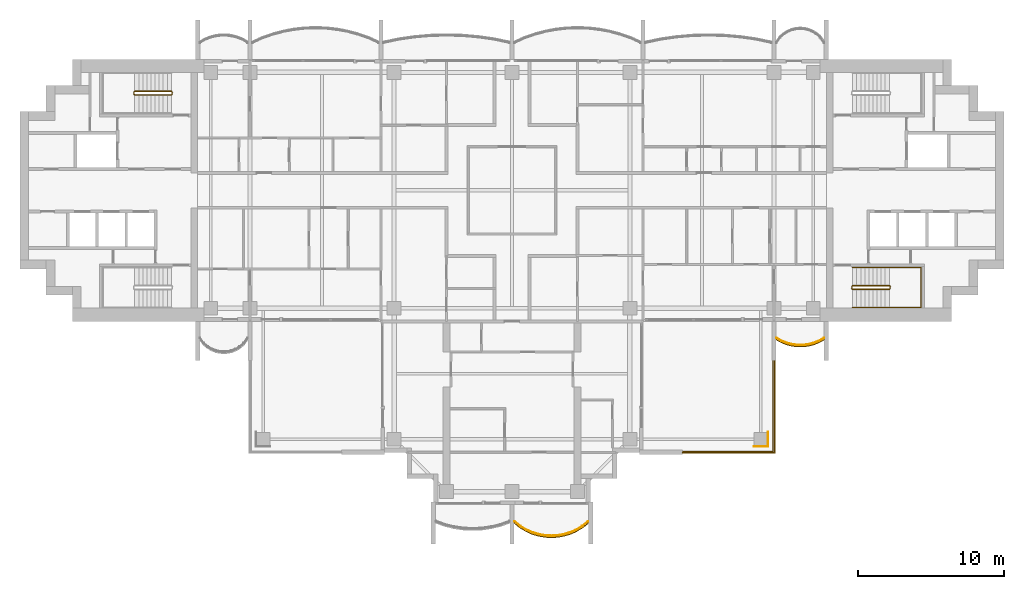
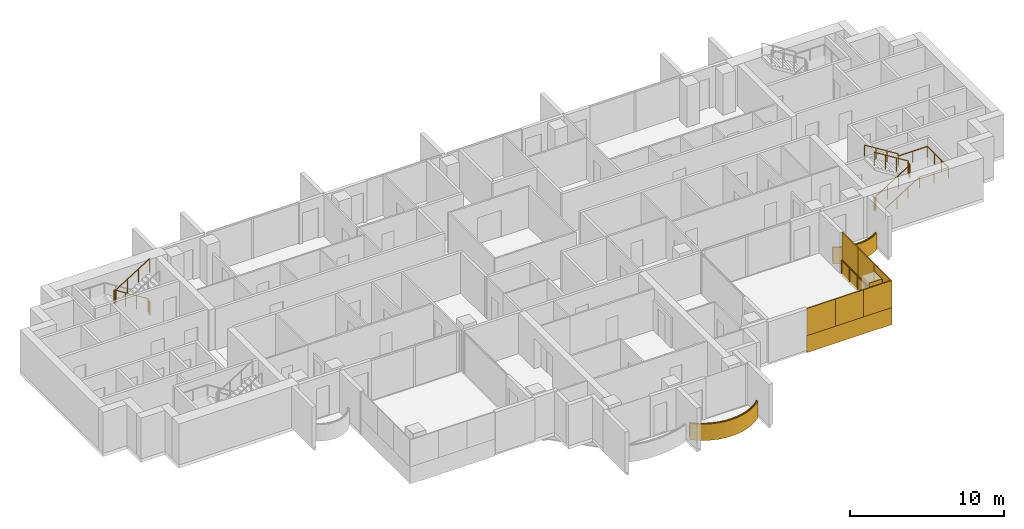
# One storey, part 15 of 17: 11 coverings, 6 railings.
"""IFC4 building model written with IfcOpenShell, lengths in metres."""

import ifcopenshell
import ifcopenshell.guid

model = None  # the IFC model being written
_history = None  # IfcOwnerHistory: only IFC2X3 demands one
_inside = {}  # id of a spatial element -> (the spatial element, [elements in it])
_under = {}  # id of a project, library or spatial element -> (it, [spatial elements below it])
_declared = {}  # id of a project -> (the project, [libraries it declares])
_typed = {}  # id of a type object -> (the type object, [elements of that type])
_made_of = {}  # id of a material, layer set ... -> (it, [elements and type objects made of it])


def new_model(schema):
    """Start an empty IFC model of exactly this schema.

    Asked for "IFC4X3", IfcOpenShell would pick the latest addendum, in which some entities
    have other attributes; the version numbers below select the first issue.
    IFC2X3 requires an IfcOwnerHistory on every rooted entity: one is made here for all.
    """
    global model, _history
    if schema == "IFC4X3":
        model = ifcopenshell.file(schema_version=(4, 3, 0, 0))
    else:
        model = ifcopenshell.file(schema=schema)
    _inside.clear()
    _under.clear()
    _declared.clear()
    _typed.clear()
    _made_of.clear()
    _history = None
    if model.schema == "IFC2X3":
        org = make("IfcOrganization", Name="unknown")
        user = make(
            "IfcPersonAndOrganization",
            ThePerson=make("IfcPerson", FamilyName="unknown"),
            TheOrganization=org,
        )
        app = make(
            "IfcApplication",
            ApplicationDeveloper=org,
            Version="unknown",
            ApplicationFullName="unknown",
            ApplicationIdentifier="unknown",
        )
        _history = make(
            "IfcOwnerHistory",
            OwningUser=user,
            OwningApplication=app,
            ChangeAction="ADDED",
            CreationDate=0,
        )
    return model


def make(cls, **values):
    """One entity of the class cls with the attributes given. An attribute that is None is left unset."""
    return model.create_entity(
        cls, **{name: value for name, value in values.items() if value is not None}
    )


def rooted(cls, **values):
    """An entity with a GlobalId (a new one), such as an element, a storey or a relation."""
    return make(cls, GlobalId=ifcopenshell.guid.new(), OwnerHistory=_history, **values)


def si_unit(unit_type, name, prefix=None):
    """IfcSIUnit, for example si_unit("LENGTHUNIT", "METRE", prefix="MILLI")."""
    return make("IfcSIUnit", UnitType=unit_type, Prefix=prefix, Name=name)


def assignment(units):
    """IfcUnitAssignment: the units of a project."""
    return None if units is None else make("IfcUnitAssignment", Units=units)


def point(xyz):
    """IfcCartesianPoint."""
    return None if xyz is None else make("IfcCartesianPoint", Coordinates=xyz)


def direction(xyz):
    """IfcDirection."""
    return None if xyz is None else make("IfcDirection", DirectionRatios=xyz)


def frame(location, z_axis=None, x_axis=None):
    """IfcAxis2Placement3D, a coordinate frame: its origin and axes. An axis left out is left unset."""
    return make(
        "IfcAxis2Placement3D",
        Location=point(location),
        Axis=direction(z_axis),
        RefDirection=direction(x_axis),
    )


def frame_2d(location, x_axis=None):
    """IfcAxis2Placement2D, a coordinate frame in the plane: its origin and x axis."""
    return make(
        "IfcAxis2Placement2D", Location=point(location), RefDirection=direction(x_axis)
    )


def origin():
    """The frame at (0, 0, 0) with its axes left unset."""
    return frame((0.0, 0.0, 0.0))


def origin_2d():
    """The frame at (0, 0) in the plane with its x axis left unset."""
    return frame_2d((0.0, 0.0))


def place(relative_to, where):
    """IfcLocalPlacement: puts the frame where relative to a parent placement (None: the world)."""
    return make(
        "IfcLocalPlacement", PlacementRelTo=relative_to, RelativePlacement=where
    )


def context(
    kind, dimensions, precision=None, world=None, true_north=None, identifier=None
):
    """IfcGeometricRepresentationContext, for example the 3D "Model" context."""
    return make(
        "IfcGeometricRepresentationContext",
        ContextIdentifier=identifier,
        ContextType=kind,
        CoordinateSpaceDimension=dimensions,
        Precision=precision,
        WorldCoordinateSystem=world,
        TrueNorth=true_north,
    )


def subcontext(parent, identifier, kind, view, scale=None):
    """IfcGeometricRepresentationSubContext, for example "Body" below "Model"."""
    return make(
        "IfcGeometricRepresentationSubContext",
        ContextIdentifier=identifier,
        ContextType=kind,
        ParentContext=parent,
        TargetScale=scale,
        TargetView=view,
    )


def project(units=None, contexts=None):
    """IfcProject with its units and contexts."""
    return rooted(
        "IfcProject",
        Name="project",
        RepresentationContexts=contexts,
        UnitsInContext=assignment(units),
    )


def spatial(cls, under=None, at=None, **own):
    """A site, building, storey or space (cls), placed at a placement, below another one or the project."""
    s = rooted(cls, ObjectPlacement=at, **own)
    if under is not None:
        _under.setdefault(under.id(), (under, []))[1].append(s)
    return s


def polyline(points):
    """IfcPolyline through the points."""
    return make("IfcPolyline", Points=[point(p) for p in points])


def profile(cls, at=None, kind="AREA", **sizes):
    """A parametric profile (cls). Its sizes go by their IFC names, for example OverallWidth=200.0."""
    return make(cls, ProfileType=kind, Position=at, **sizes)


def rectangle(**sizes):
    """IfcRectangleProfileDef."""
    return profile("IfcRectangleProfileDef", **sizes)


def outline(outer, holes=None, kind="AREA"):
    """IfcArbitraryClosedProfileDef: a profile drawn as a closed curve; with holes, ...WithVoids."""
    if holes is None:
        return make("IfcArbitraryClosedProfileDef", ProfileType=kind, OuterCurve=outer)
    return make(
        "IfcArbitraryProfileDefWithVoids",
        ProfileType=kind,
        OuterCurve=outer,
        InnerCurves=holes,
    )


def extrude(swept, where, along, depth):
    """IfcExtrudedAreaSolid: the profile swept, set in the frame where, extruded along a direction by depth."""
    return make(
        "IfcExtrudedAreaSolid",
        SweptArea=swept,
        Position=where,
        ExtrudedDirection=direction(along),
        Depth=depth,
    )


def shape(context_of_items, identifier, shape_type, items):
    """IfcShapeRepresentation: the items that make up one representation, for example the "Body"."""
    return make(
        "IfcShapeRepresentation",
        ContextOfItems=context_of_items,
        RepresentationIdentifier=identifier,
        RepresentationType=shape_type,
        Items=items,
    )


def material(Name=None, Category=None):
    """IfcMaterial."""
    return make("IfcMaterial", Name=Name, Category=Category)


def layer(
    of_material, thickness, ventilated=None, Name=None, Category=None, Priority=None
):
    """IfcMaterialLayer: one layer of a wall or slab, of a material (None: an air gap)."""
    return make(
        "IfcMaterialLayer",
        Material=of_material,
        LayerThickness=thickness,
        IsVentilated=ventilated,
        Name=Name,
        Category=Category,
        Priority=Priority,
    )


def layer_set(layers, Name=None):
    """IfcMaterialLayerSet."""
    return make("IfcMaterialLayerSet", MaterialLayers=layers, LayerSetName=Name)


def made_of(thing, what):
    """Note that an element or type object is made of a material, layer set ...; save() writes the relation."""
    if what is not None:
        _made_of.setdefault(what.id(), (what, []))[1].append(thing)
    return thing


def type_object(cls, material=None, **own):
    """A type object (cls), such as IfcWallType, which elements share."""
    return made_of(rooted(cls, **own), material)


def element(
    cls,
    number,
    at=None,
    inside=None,
    cuts=None,
    type_object=None,
    material=None,
    context=None,
    identifier="Body",
    shape_type=None,
    held_by="IfcProductDefinitionShape",
    body=None,
    shapes=None,
    **own,
):
    """One element of the class cls, such as IfcWall. Its Tag is "e" and its number.

    at: its placement. inside: the storey or other place that contains it. cuts: it is an
    opening in that element (IfcRelVoidsElement). A single representation is given by context,
    identifier, shape_type and body (its items); several are given by shapes. held_by: the class
    of the entity that holds the representations. save() writes the other relations.
    """
    e = rooted(cls, Tag="e%d" % number, ObjectPlacement=at, **own)
    if body is not None:
        shapes = [shape(context, identifier, shape_type, body)]
    if shapes is not None:
        e.Representation = make(held_by, Representations=shapes)
    if inside is not None:
        _inside.setdefault(inside.id(), (inside, []))[1].append(e)
    if cuts is not None:
        rooted(
            "IfcRelVoidsElement", RelatingBuildingElement=cuts, RelatedOpeningElement=e
        )
    if type_object is not None:
        _typed.setdefault(type_object.id(), (type_object, []))[1].append(e)
    return made_of(e, material)


def aggregate(whole, parts):
    """IfcRelAggregates: a whole, such as a stair, and the parts it consists of."""
    return rooted("IfcRelAggregates", RelatingObject=whole, RelatedObjects=parts)


def save(model, path):
    """Write the relations noted so far, then the file.

    IfcRelAggregates (storeys below a building ...), IfcRelContainedInSpatialStructure (elements
    in a storey), IfcRelDefinesByType, IfcRelAssociatesMaterial and IfcRelDeclares: one each for
    every whole, place, type object, material and project.
    """
    for whole, parts in _under.values():
        aggregate(whole, parts)
    for where, things in _inside.values():
        rooted(
            "IfcRelContainedInSpatialStructure",
            RelatedElements=things,
            RelatingStructure=where,
        )
    for kind, things in _typed.values():
        rooted("IfcRelDefinesByType", RelatedObjects=things, RelatingType=kind)
    for what, things in _made_of.values():
        rooted("IfcRelAssociatesMaterial", RelatedObjects=things, RelatingMaterial=what)
    for by, libraries in _declared.values():
        rooted("IfcRelDeclares", RelatingContext=by, RelatedDefinitions=libraries)
    model.write(path)


model = new_model("IFC4")

# Units and contexts
model_context = context("Model", 3, precision=1e-05, world=origin(), true_north=direction((0.0, 1.0)))
body_context = subcontext(model_context, "Body", "Model", "MODEL_VIEW")
ifc_project = project(units=[si_unit("LENGTHUNIT", "METRE"), si_unit("AREAUNIT", "SQUARE_METRE"), si_unit("VOLUMEUNIT", "CUBIC_METRE"), si_unit("PLANEANGLEUNIT", "RADIAN"), si_unit("MASSUNIT", "GRAM", prefix="KILO")], contexts=[model_context])

# Site, building, storey
site_placement = place(None, origin())
site = spatial("IfcSite", under=ifc_project, at=site_placement, CompositionType="ELEMENT")
building_placement = place(site_placement, origin())
building = spatial("IfcBuilding", under=site, at=building_placement, Name="Perihelion Cross Residences", CompositionType="ELEMENT")
storey_placement = place(building_placement, frame((0.0, 0.0, 212.10009765625)))
storey = spatial("IfcBuildingStorey", under=building, at=storey_placement, Name="L53", CompositionType="ELEMENT", Elevation=212.10009765625)

# Coverings
ifc_material_1 = material(Name="Bronze anodised aluminium", Category="aluminium")
ifc_layer_1 = layer(ifc_material_1, 0.070068359375)
ifc_layer_set_1 = layer_set([ifc_layer_1], Name="Balcony fascia 1300")
covering_type_1 = type_object("IfcCoveringType", Name="Balcony fascia 1300", PredefinedType="CLADDING", material=ifc_layer_set_1)
covering_1_placement = place(storey_placement, frame((0.0, 0.0, -0.2001953125)))
element("IfcCovering", 1, at=covering_1_placement, inside=storey, type_object=covering_type_1, Name="Fascia BF1 L53 south tip south bay 2", PredefinedType="CLADDING", context=body_context, shape_type="SweptSolid", body=[
    extrude(outline(polyline([(0.53515625, -23.197509765625), (0.96826171875, -23.455078125), (1.401123046875, -23.642578125), (1.833984375, -23.7705078125), (2.26708984375, -23.845458984375), (2.699951171875, -23.8701171875), (3.133056640625, -23.845458984375), (3.56591796875, -23.7705078125), (3.998779296875, -23.642578125), (4.431884765625, -23.455078125), (4.86474609375, -23.197509765625), (5.25, -22.8896484375), (5.25, -22.800048828125), (4.824951171875, -23.14013671875), (4.39990234375, -23.392578125), (3.97509765625, -23.57666015625), (3.550048828125, -23.702392578125), (3.125, -23.77587890625), (2.699951171875, -23.800048828125), (2.27490234375, -23.77587890625), (1.85009765625, -23.702392578125), (1.425048828125, -23.57666015625), (1.0, -23.392578125), (0.574951171875, -23.14013671875), (0.14990234375, -22.800048828125), (0.14990234375, -22.8896484375), (0.53515625, -23.197509765625)])), origin(), (0.0, 0.0, 1.0), 1.300048828125),
])
covering_2_placement = place(storey_placement, frame((0.0, 0.0, -0.2001953125)))
element("IfcCovering", 2, at=covering_2_placement, inside=storey, type_object=covering_type_1, Name="Fascia BF1 L53 east side south bay 2", PredefinedType="CLADDING", context=body_context, shape_type="SweptSolid", body=[
    extrude(outline(polyline([(18.486328125, -10.4716796875), (18.861572265625, -10.62158203125), (19.237060546875, -10.717529296875), (19.6123046875, -10.76416015625), (19.987548828125, -10.76416015625), (20.363037109375, -10.717529296875), (20.73828125, -10.62158203125), (21.11376953125, -10.4716796875), (21.449951171875, -10.280517578125), (21.449951171875, -10.199951171875), (21.083251953125, -10.40869140625), (20.716552734375, -10.55517578125), (20.35009765625, -10.648681640625), (19.9833984375, -10.6943359375), (19.61669921875, -10.6943359375), (19.25, -10.648681640625), (18.88330078125, -10.55517578125), (18.5166015625, -10.40869140625), (18.14990234375, -10.199951171875), (18.14990234375, -10.280517578125), (18.486328125, -10.4716796875)])), origin(), (0.0, 0.0, 1.0), 1.300048828125),
])

# Railings
ifc_material_2 = material(Name="Bronze anodised aluminium", Category="aluminium")
railing_type_1 = type_object("IfcRailingType", Name="Balcony guard 1100", PredefinedType="GUARDRAIL", material=ifc_material_2)
railing_1_placement = place(storey_placement, frame((0.175048828125, -22.739990234375, 0.0)))
element("IfcRailing", 3, at=railing_1_placement, inside=storey, type_object=railing_type_1, Name="Guard GU1 L53 south tip south bay 2 balcony", PredefinedType="GUARDRAIL", context=body_context, shape_type="SweptSolid", body=[
    extrude(rectangle(XDim=0.048095703125, YDim=0.048095703125, at=origin_2d()), frame((0.0, 0.0, 1.076171875), z_axis=(0.761778647315, -0.647837396648, 0.0), x_axis=(0.647837396648, 0.761778647315, 0.0)), (0.0, 0.0, 1.0), 0.52490234375),
    extrude(rectangle(XDim=0.048095703125, YDim=0.048095703125, at=origin_2d()), frame((0.39990234375, -0.340087890625, 1.076171875), z_axis=(0.859576918062, -0.511006381501, 0.0), x_axis=(0.511006381501, 0.859576918062, 0.0)), (0.0, 0.0, 1.0), 0.494384765625),
    extrude(rectangle(XDim=0.048095703125, YDim=0.048095703125, at=origin_2d()), frame((0.824951171875, -0.5927734375, 1.076171875), z_axis=(0.917831080218, -0.396971167952, 0.0), x_axis=(0.396971167952, 0.917831080218, 0.0)), (0.0, 0.0, 1.0), 0.463134765625),
    extrude(rectangle(XDim=0.048095703125, YDim=0.048095703125, at=origin_2d()), frame((1.25, -0.776611328125, 1.076171875), z_axis=(0.958925815697, -0.283656975924, 0.0), x_axis=(0.283656975924, 0.958925815697, 0.0)), (0.0, 0.0, 1.0), 0.443359375),
    extrude(rectangle(XDim=0.048095703125, YDim=0.048095703125, at=origin_2d()), frame((1.675048828125, -0.90234375, 1.076171875), z_axis=(0.985365142702, -0.170456843651, 0.0), x_axis=(0.170456843651, 0.985365142702, 0.0)), (0.0, 0.0, 1.0), 0.43115234375),
    extrude(rectangle(XDim=0.048095703125, YDim=0.048095703125, at=origin_2d()), frame((2.099853515625, -0.975830078125, 1.076171875), z_axis=(0.998387160354, -0.056772159032, 0.0), x_axis=(0.056772159032, 0.998387160354, 0.0)), (0.0, 0.0, 1.0), 0.42578125),
    extrude(rectangle(XDim=0.048095703125, YDim=0.048095703125, at=origin_2d()), frame((2.52490234375, -1.0, 1.076171875), z_axis=(0.998387160354, 0.056772159032, 0.0), x_axis=(-0.056772159032, 0.998387160354, 0.0)), (0.0, 0.0, 1.0), 0.42578125),
    extrude(rectangle(XDim=0.048095703125, YDim=0.048095703125, at=origin_2d()), frame((2.949951171875, -0.975830078125, 1.076171875), z_axis=(0.985381583142, 0.17036177859, 0.0), x_axis=(-0.17036177859, 0.985381583142, 0.0)), (0.0, 0.0, 1.0), 0.431396484375),
    extrude(rectangle(XDim=0.048095703125, YDim=0.048095703125, at=origin_2d()), frame((3.375, -0.90234375, 1.076171875), z_axis=(0.958925815697, 0.283656975924, 0.0), x_axis=(-0.283656975924, 0.958925815697, 0.0)), (0.0, 0.0, 1.0), 0.443359375),
    extrude(rectangle(XDim=0.048095703125, YDim=0.048095703125, at=origin_2d()), frame((3.800048828125, -0.776611328125, 1.076171875), z_axis=(0.917747942671, 0.397163333811, 0.0), x_axis=(-0.397163333811, 0.917747942671, 0.0)), (0.0, 0.0, 1.0), 0.462890625),
    extrude(rectangle(XDim=0.048095703125, YDim=0.048095703125, at=origin_2d()), frame((4.224853515625, -0.5927734375, 1.076171875), z_axis=(0.859576918062, 0.511006381501, 0.0), x_axis=(-0.511006381501, 0.859576918062, 0.0)), (0.0, 0.0, 1.0), 0.494384765625),
    extrude(rectangle(XDim=0.048095703125, YDim=0.048095703125, at=origin_2d()), frame((4.64990234375, -0.340087890625, 1.076171875), z_axis=(0.761973728849, 0.647607934281, 0.0), x_axis=(-0.647607934281, 0.761973728849, 0.0)), (0.0, 0.0, 1.0), 0.525146484375),
    extrude(rectangle(XDim=0.0419921875, YDim=0.0419921875, at=origin_2d()), origin(), (0.0, 0.0, 1.0), 1.052001953125),
    extrude(rectangle(XDim=0.0419921875, YDim=0.0419921875, at=origin_2d()), frame((0.39990234375, -0.340087890625, 0.0)), (0.0, 0.0, 1.0), 1.052001953125),
    extrude(rectangle(XDim=0.0419921875, YDim=0.0419921875, at=origin_2d()), frame((0.824951171875, -0.5927734375, 0.0)), (0.0, 0.0, 1.0), 1.052001953125),
    extrude(rectangle(XDim=0.0419921875, YDim=0.0419921875, at=origin_2d()), frame((1.25, -0.776611328125, 0.0)), (0.0, 0.0, 1.0), 1.052001953125),
    extrude(rectangle(XDim=0.0419921875, YDim=0.0419921875, at=origin_2d()), frame((1.675048828125, -0.90234375, 0.0)), (0.0, 0.0, 1.0), 1.052001953125),
    extrude(rectangle(XDim=0.0419921875, YDim=0.0419921875, at=origin_2d()), frame((2.099853515625, -0.975830078125, 0.0)), (0.0, 0.0, 1.0), 1.052001953125),
    extrude(rectangle(XDim=0.0419921875, YDim=0.0419921875, at=origin_2d()), frame((2.52490234375, -1.0, 0.0)), (0.0, 0.0, 1.0), 1.052001953125),
    extrude(rectangle(XDim=0.0419921875, YDim=0.0419921875, at=origin_2d()), frame((2.949951171875, -0.975830078125, 0.0)), (0.0, 0.0, 1.0), 1.052001953125),
    extrude(rectangle(XDim=0.0419921875, YDim=0.0419921875, at=origin_2d()), frame((3.375, -0.90234375, 0.0)), (0.0, 0.0, 1.0), 1.052001953125),
    extrude(rectangle(XDim=0.0419921875, YDim=0.0419921875, at=origin_2d()), frame((3.800048828125, -0.776611328125, 0.0)), (0.0, 0.0, 1.0), 1.052001953125),
    extrude(rectangle(XDim=0.0419921875, YDim=0.0419921875, at=origin_2d()), frame((4.224853515625, -0.5927734375, 0.0)), (0.0, 0.0, 1.0), 1.052001953125),
    extrude(rectangle(XDim=0.0419921875, YDim=0.0419921875, at=origin_2d()), frame((4.64990234375, -0.340087890625, 0.0)), (0.0, 0.0, 1.0), 1.052001953125),
    extrude(rectangle(XDim=0.0419921875, YDim=0.0419921875, at=origin_2d()), frame((5.050048828125, 0.0, 0.0)), (0.0, 0.0, 1.0), 1.052001953125),
])
railing_2_placement = place(storey_placement, frame((18.175048828125, -10.139892578125, 0.0)))
element("IfcRailing", 4, at=railing_2_placement, inside=storey, type_object=railing_type_1, Name="Guard GU1 L53 east side south bay 2 balcony", PredefinedType="GUARDRAIL", context=body_context, shape_type="SweptSolid", body=[
    extrude(rectangle(XDim=0.048095703125, YDim=0.048095703125, at=origin_2d()), frame((0.0, 0.0, 1.076171875), z_axis=(0.853266756821, -0.52147467983, 0.0), x_axis=(0.52147467983, 0.853266756821, 0.0)), (0.0, 0.0, 1.0), 0.400390625),
    extrude(rectangle(XDim=0.048095703125, YDim=0.048095703125, at=origin_2d()), frame((0.341552734375, -0.208740234375, 1.076171875), z_axis=(0.928647151248, -0.37096424151, 0.0), x_axis=(0.37096424151, 0.928647151248, 0.0)), (0.0, 0.0, 1.0), 0.394775390625),
    extrude(rectangle(XDim=0.048095703125, YDim=0.048095703125, at=origin_2d()), frame((0.708251953125, -0.355224609375, 1.076171875), z_axis=(0.968993337782, -0.247086849781, 0.0), x_axis=(0.247086849781, 0.968993337782, 0.0)), (0.0, 0.0, 1.0), 0.37841796875),
    extrude(rectangle(XDim=0.048095703125, YDim=0.048095703125, at=origin_2d()), frame((1.074951171875, -0.44873046875, 1.076171875), z_axis=(0.992338742457, -0.123546834114, 0.0), x_axis=(0.123546834114, 0.992338742457, 0.0)), (0.0, 0.0, 1.0), 0.36962890625),
    extrude(rectangle(XDim=0.048095703125, YDim=0.048095703125, at=origin_2d()), frame((1.441650390625, -0.494384765625, 1.076171875), z_axis=(1.0, 0.0, 0.0), x_axis=(0.0, 1.0, 0.0)), (0.0, 0.0, 1.0), 0.36669921875),
    extrude(rectangle(XDim=0.048095703125, YDim=0.048095703125, at=origin_2d()), frame((1.808349609375, -0.494384765625, 1.076171875), z_axis=(0.992338742457, 0.123546834114, 0.0), x_axis=(-0.123546834114, 0.992338742457, 0.0)), (0.0, 0.0, 1.0), 0.36962890625),
    extrude(rectangle(XDim=0.048095703125, YDim=0.048095703125, at=origin_2d()), frame((2.175048828125, -0.44873046875, 1.076171875), z_axis=(0.968953914071, 0.247241405123, 0.0), x_axis=(-0.247241405123, 0.968953914071, 0.0)), (0.0, 0.0, 1.0), 0.378173828125),
    extrude(rectangle(XDim=0.048095703125, YDim=0.048095703125, at=origin_2d()), frame((2.54150390625, -0.355224609375, 1.076171875), z_axis=(0.928647151248, 0.37096424151, 0.0), x_axis=(-0.37096424151, 0.928647151248, 0.0)), (0.0, 0.0, 1.0), 0.394775390625),
    extrude(rectangle(XDim=0.048095703125, YDim=0.048095703125, at=origin_2d()), frame((2.908203125, -0.208740234375, 1.076171875), z_axis=(0.853432484338, 0.521203410078, 0.0), x_axis=(-0.521203410078, 0.853432484338, 0.0)), (0.0, 0.0, 1.0), 0.400390625),
    extrude(rectangle(XDim=0.0419921875, YDim=0.0419921875, at=origin_2d()), origin(), (0.0, 0.0, 1.0), 1.052001953125),
    extrude(rectangle(XDim=0.0419921875, YDim=0.0419921875, at=origin_2d()), frame((0.341552734375, -0.208740234375, 0.0)), (0.0, 0.0, 1.0), 1.052001953125),
    extrude(rectangle(XDim=0.0419921875, YDim=0.0419921875, at=origin_2d()), frame((0.708251953125, -0.355224609375, 0.0)), (0.0, 0.0, 1.0), 1.052001953125),
    extrude(rectangle(XDim=0.0419921875, YDim=0.0419921875, at=origin_2d()), frame((1.074951171875, -0.44873046875, 0.0)), (0.0, 0.0, 1.0), 1.052001953125),
    extrude(rectangle(XDim=0.0419921875, YDim=0.0419921875, at=origin_2d()), frame((1.441650390625, -0.494384765625, 0.0)), (0.0, 0.0, 1.0), 1.052001953125),
    extrude(rectangle(XDim=0.0419921875, YDim=0.0419921875, at=origin_2d()), frame((1.808349609375, -0.494384765625, 0.0)), (0.0, 0.0, 1.0), 1.052001953125),
    extrude(rectangle(XDim=0.0419921875, YDim=0.0419921875, at=origin_2d()), frame((2.175048828125, -0.44873046875, 0.0)), (0.0, 0.0, 1.0), 1.052001953125),
    extrude(rectangle(XDim=0.0419921875, YDim=0.0419921875, at=origin_2d()), frame((2.54150390625, -0.355224609375, 0.0)), (0.0, 0.0, 1.0), 1.052001953125),
    extrude(rectangle(XDim=0.0419921875, YDim=0.0419921875, at=origin_2d()), frame((2.908203125, -0.208740234375, 0.0)), (0.0, 0.0, 1.0), 1.052001953125),
    extrude(rectangle(XDim=0.0419921875, YDim=0.0419921875, at=origin_2d()), frame((3.25, 0.0, 0.0)), (0.0, 0.0, 1.0), 1.052001953125),
])
railing_3_placement = place(storey_placement, frame((17.93994140625, -11.739990234375, 0.0)))
element("IfcRailing", 5, at=railing_3_placement, inside=storey, type_object=railing_type_1, Name="Guard GU1 L53 pocket south-east 1", PredefinedType="GUARDRAIL", context=body_context, shape_type="SweptSolid", body=[
    extrude(rectangle(XDim=0.048095703125, YDim=0.048095703125, at=origin_2d()), frame((0.0, 0.0, 1.076171875), z_axis=(0.0, -1.0, 0.0), x_axis=(1.0, 0.0, 0.0)), (0.0, 0.0, 1.0), 6.199951171875),
    extrude(rectangle(XDim=0.048095703125, YDim=0.048095703125, at=origin_2d()), frame((0.0, -6.199951171875, 1.076171875), z_axis=(-1.0, 0.0, 0.0), x_axis=(0.0, -1.0, 0.0)), (0.0, 0.0, 1.0), 6.199951171875),
    extrude(rectangle(XDim=0.0419921875, YDim=0.0419921875, at=origin_2d()), origin(), (0.0, 0.0, 1.0), 1.052001953125),
    extrude(rectangle(XDim=0.0419921875, YDim=0.0419921875, at=origin_2d()), frame((0.0, -1.033203125, 0.0)), (0.0, 0.0, 1.0), 1.052001953125),
    extrude(rectangle(XDim=0.0419921875, YDim=0.0419921875, at=origin_2d()), frame((0.0, -2.066650390625, 0.0)), (0.0, 0.0, 1.0), 1.052001953125),
    extrude(rectangle(XDim=0.0419921875, YDim=0.0419921875, at=origin_2d()), frame((0.0, -3.10009765625, 0.0)), (0.0, 0.0, 1.0), 1.052001953125),
    extrude(rectangle(XDim=0.0419921875, YDim=0.0419921875, at=origin_2d()), frame((0.0, -4.13330078125, 0.0)), (0.0, 0.0, 1.0), 1.052001953125),
    extrude(rectangle(XDim=0.0419921875, YDim=0.0419921875, at=origin_2d()), frame((0.0, -5.16650390625, 0.0)), (0.0, 0.0, 1.0), 1.052001953125),
    extrude(rectangle(XDim=0.0419921875, YDim=0.0419921875, at=origin_2d()), frame((0.0, -6.199951171875, 0.0)), (0.0, 0.0, 1.0), 1.052001953125),
    extrude(rectangle(XDim=0.0419921875, YDim=0.0419921875, at=origin_2d()), frame((-1.033203125, -6.199951171875, 0.0)), (0.0, 0.0, 1.0), 1.052001953125),
    extrude(rectangle(XDim=0.0419921875, YDim=0.0419921875, at=origin_2d()), frame((-2.066650390625, -6.199951171875, 0.0)), (0.0, 0.0, 1.0), 1.052001953125),
    extrude(rectangle(XDim=0.0419921875, YDim=0.0419921875, at=origin_2d()), frame((-3.10009765625, -6.199951171875, 0.0)), (0.0, 0.0, 1.0), 1.052001953125),
    extrude(rectangle(XDim=0.0419921875, YDim=0.0419921875, at=origin_2d()), frame((-4.13330078125, -6.199951171875, 0.0)), (0.0, 0.0, 1.0), 1.052001953125),
    extrude(rectangle(XDim=0.0419921875, YDim=0.0419921875, at=origin_2d()), frame((-5.16650390625, -6.199951171875, 0.0)), (0.0, 0.0, 1.0), 1.052001953125),
    extrude(rectangle(XDim=0.0419921875, YDim=0.0419921875, at=origin_2d()), frame((-6.199951171875, -6.199951171875, 0.0)), (0.0, 0.0, 1.0), 1.052001953125),
])

# Coverings
ifc_material_3 = material(Name="Bronze anodised aluminium", Category="aluminium")
ifc_layer_2 = layer(ifc_material_3, 0.0400390625)
ifc_layer_set_2 = layer_set([ifc_layer_2], Name="Bronze column casing 40")
covering_type_2 = type_object("IfcCoveringType", Name="Bronze column casing 40", PredefinedType="CLADDING", material=ifc_layer_set_2)
covering_3_placement = place(storey_placement, frame((17.594970703125, -17.10009765625, -0.25), z_axis=(0.0, 0.0, 1.0), x_axis=(1.0, 0.0, 0.0)))
element("IfcCovering", 6, at=covering_3_placement, inside=storey, type_object=covering_type_2, Name="Cladding CC1 L53 casing east-west no. 2", PredefinedType="CLADDING", context=body_context, shape_type="SweptSolid", body=[
    extrude(rectangle(XDim=0.0400390625, YDim=1.030029296875, at=origin_2d()), origin(), (0.0, 0.0, 1.0), 3.5),
])
covering_4_placement = place(storey_placement, frame((17.10009765625, -17.594970703125, -0.25), z_axis=(0.0, 0.0, 1.0), x_axis=(1.0, 0.0, 0.0)))
element("IfcCovering", 7, at=covering_4_placement, inside=storey, type_object=covering_type_2, Name="Cladding CC1 L53 casing north-south no. 2", PredefinedType="CLADDING", context=body_context, shape_type="SweptSolid", body=[
    extrude(rectangle(XDim=0.949951171875, YDim=0.0400390625, at=origin_2d()), origin(), (0.0, 0.0, 1.0), 3.5),
])
ifc_material_4 = material(Name="Bronze anodised aluminium", Category="aluminium")
ifc_layer_3 = layer(ifc_material_4, 0.070068359375)
ifc_layer_set_3 = layer_set([ifc_layer_3], Name="Pocket fascia 1350")
covering_type_3 = type_object("IfcCoveringType", Name="Pocket fascia 1350", PredefinedType="CLADDING", material=ifc_layer_set_3)
covering_5_placement = place(storey_placement, frame((0.0, 0.0, -0.25)))
element("IfcCovering", 8, at=covering_5_placement, inside=storey, type_object=covering_type_3, Name="Fascia BF2 L53 pocket south-east 3", PredefinedType="CLADDING", context=body_context, shape_type="SweptSolid", body=[
    extrude(outline(polyline([(18.070068359375, -18.070068359375), (18.070068359375, -11.699951171875), (18.0, -11.699951171875), (18.0, -18.0), (11.699951171875, -18.0), (11.699951171875, -18.070068359375), (18.070068359375, -18.070068359375)])), origin(), (0.0, 0.0, 1.0), 1.349853515625),
])
ifc_material_5 = material(Name="Bronze perforated aluminium", Category="aluminium")
ifc_layer_4 = layer(ifc_material_5, 0.070068359375)
ifc_layer_set_4 = layer_set([ifc_layer_4], Name="Pocket solar screen, bronze perforated")
covering_type_4 = type_object("IfcCoveringType", Name="Pocket solar screen, bronze perforated", PredefinedType="CLADDING", material=ifc_layer_set_4)
covering_6_placement = place(storey_placement, frame((0.0, 0.0, 1.099853515625)))
element("IfcCovering", 9, at=covering_6_placement, inside=storey, type_object=covering_type_4, Name="Solar screen PS1 L53 pocket south-east no. 1", PredefinedType="CLADDING", context=body_context, shape_type="SweptSolid", body=[
    extrude(outline(polyline([(18.070068359375, -18.0), (18.070068359375, -15.89990234375), (18.0, -15.89990234375), (18.0, -18.0), (18.070068359375, -18.0)])), origin(), (0.0, 0.0, 1.0), 2.150146484375),
])
covering_7_placement = place(storey_placement, frame((0.0, 0.0, 1.099853515625)))
element("IfcCovering", 10, at=covering_7_placement, inside=storey, type_object=covering_type_4, Name="Solar screen PS1 L53 pocket south-east no. 2", PredefinedType="CLADDING", context=body_context, shape_type="SweptSolid", body=[
    extrude(outline(polyline([(18.070068359375, -15.89990234375), (18.070068359375, -13.800048828125), (18.0, -13.800048828125), (18.0, -15.89990234375), (18.070068359375, -15.89990234375)])), origin(), (0.0, 0.0, 1.0), 2.150146484375),
])
covering_8_placement = place(storey_placement, frame((0.0, 0.0, 1.099853515625)))
element("IfcCovering", 11, at=covering_8_placement, inside=storey, type_object=covering_type_4, Name="Solar screen PS1 L53 pocket south-east no. 3", PredefinedType="CLADDING", context=body_context, shape_type="SweptSolid", body=[
    extrude(outline(polyline([(18.070068359375, -13.800048828125), (18.070068359375, -11.699951171875), (18.0, -11.699951171875), (18.0, -13.800048828125), (18.070068359375, -13.800048828125)])), origin(), (0.0, 0.0, 1.0), 2.150146484375),
])
covering_9_placement = place(storey_placement, frame((0.0, 0.0, 1.099853515625)))
element("IfcCovering", 12, at=covering_9_placement, inside=storey, type_object=covering_type_4, Name="Solar screen PS1 L53 pocket south-east no. 4", PredefinedType="CLADDING", context=body_context, shape_type="SweptSolid", body=[
    extrude(outline(polyline([(13.8232421875, -18.070068359375), (13.8232421875, -18.0), (11.699951171875, -18.0), (11.699951171875, -18.070068359375), (13.8232421875, -18.070068359375)])), origin(), (0.0, 0.0, 1.0), 2.150146484375),
])
covering_10_placement = place(storey_placement, frame((0.0, 0.0, 1.099853515625)))
element("IfcCovering", 13, at=covering_10_placement, inside=storey, type_object=covering_type_4, Name="Solar screen PS1 L53 pocket south-east no. 5", PredefinedType="CLADDING", context=body_context, shape_type="SweptSolid", body=[
    extrude(outline(polyline([(15.94677734375, -18.070068359375), (15.94677734375, -18.0), (13.8232421875, -18.0), (13.8232421875, -18.070068359375), (15.94677734375, -18.070068359375)])), origin(), (0.0, 0.0, 1.0), 2.150146484375),
])
covering_11_placement = place(storey_placement, frame((0.0, 0.0, 1.099853515625)))
element("IfcCovering", 14, at=covering_11_placement, inside=storey, type_object=covering_type_4, Name="Solar screen PS1 L53 pocket south-east no. 6", PredefinedType="CLADDING", context=body_context, shape_type="SweptSolid", body=[
    extrude(outline(polyline([(18.070068359375, -18.070068359375), (18.070068359375, -18.0), (15.94677734375, -18.0), (15.94677734375, -18.070068359375), (18.070068359375, -18.070068359375)])), origin(), (0.0, 0.0, 1.0), 2.150146484375),
])

# Railings
ifc_material_6 = material(Name="Stainless steel", Category="steel")
railing_type_2 = type_object("IfcRailingType", Name="Stair guard 1100", PredefinedType="GUARDRAIL", material=ifc_material_6)
railing_4_placement = place(storey_placement, frame((23.35009765625, -6.60009765625, 0.0)))
element("IfcRailing", 15, at=railing_4_placement, inside=storey, type_object=railing_type_2, Name="L53 ST-E2 stair guard 1", PredefinedType="GUARDRAIL", context=body_context, shape_type="SweptSolid", body=[
    extrude(rectangle(XDim=0.048095703125, YDim=0.048095703125, at=origin_2d()), frame((0.0, 0.0, 1.076171875), z_axis=(0.0, -1.0, 0.0), x_axis=(1.0, 0.0, 0.0)), (0.0, 0.0, 1.0), 0.14990234375),
    extrude(rectangle(XDim=0.048095703125, YDim=0.048095703125, at=origin_2d()), frame((0.0, -0.14990234375, 1.076171875), z_axis=(0.264179342666, -0.265474339444, 0.927217692888), x_axis=(0.708833529934, 0.705375805398, 0.0)), (0.0, 0.0, 1.0), 0.1884765625),
    extrude(rectangle(XDim=0.048095703125, YDim=0.048095703125, at=origin_2d()), frame((0.0498046875, -0.199951171875, 1.2509765625), z_axis=(0.847970611238, 0.0, 0.530043245855), x_axis=(0.0, 1.0, 0.0)), (0.0, 0.0, 1.0), 2.971923828125),
    extrude(rectangle(XDim=0.048095703125, YDim=0.048095703125, at=origin_2d()), frame((2.56982421875, -0.199951171875, 2.826171875), z_axis=(0.707106781187, 0.707106781187, 0.0), x_axis=(-0.707106781187, 0.707106781187, 0.0)), (0.0, 0.0, 1.0), 0.07080078125),
    extrude(rectangle(XDim=0.048095703125, YDim=0.048095703125, at=origin_2d()), frame((2.619873046875, -0.14990234375, 2.826171875), z_axis=(0.0, 1.0, 0.0), x_axis=(-1.0, 0.0, 0.0)), (0.0, 0.0, 1.0), 0.14990234375),
    extrude(rectangle(XDim=0.048095703125, YDim=0.048095703125, at=origin_2d()), frame((2.619873046875, 0.0, 2.826171875), z_axis=(-0.265383341853, 0.265383341853, 0.926899867156), x_axis=(-0.707106781187, -0.707106781187, 0.0)), (0.0, 0.0, 1.0), 0.1884765625),
    extrude(rectangle(XDim=0.048095703125, YDim=0.048095703125, at=origin_2d()), frame((2.56982421875, 0.050048828125, 3.0009765625), z_axis=(-0.847970611238, 0.0, 0.530043245855), x_axis=(0.0, -1.0, 0.0)), (0.0, 0.0, 1.0), 2.971923828125),
    extrude(rectangle(XDim=0.0419921875, YDim=0.0419921875, at=origin_2d()), origin(), (0.0, 0.0, 1.0), 1.052001953125),
    extrude(rectangle(XDim=0.0419921875, YDim=0.0419921875, at=origin_2d()), frame((0.0, -0.14990234375, 0.0)), (0.0, 0.0, 1.0), 1.052001953125),
    extrude(rectangle(XDim=0.0419921875, YDim=0.0419921875, at=origin_2d()), frame((0.0498046875, -0.199951171875, 0.1748046875)), (0.0, 0.0, 1.0), 1.052001953125),
    extrude(rectangle(XDim=0.0419921875, YDim=0.0419921875, at=origin_2d()), frame((0.889892578125, -0.199951171875, 0.699951171875)), (0.0, 0.0, 1.0), 1.052001953125),
    extrude(rectangle(XDim=0.0419921875, YDim=0.0419921875, at=origin_2d()), frame((1.729736328125, -0.199951171875, 1.224853515625)), (0.0, 0.0, 1.0), 1.052001953125),
    extrude(rectangle(XDim=0.0419921875, YDim=0.0419921875, at=origin_2d()), frame((2.56982421875, -0.199951171875, 1.75)), (0.0, 0.0, 1.0), 1.052001953125),
    extrude(rectangle(XDim=0.0419921875, YDim=0.0419921875, at=origin_2d()), frame((2.619873046875, -0.14990234375, 1.75)), (0.0, 0.0, 1.0), 1.052001953125),
    extrude(rectangle(XDim=0.0419921875, YDim=0.0419921875, at=origin_2d()), frame((2.619873046875, 0.0, 1.75)), (0.0, 0.0, 1.0), 1.052001953125),
    extrude(rectangle(XDim=0.0419921875, YDim=0.0419921875, at=origin_2d()), frame((2.56982421875, 0.050048828125, 1.9248046875)), (0.0, 0.0, 1.0), 1.052001953125),
    extrude(rectangle(XDim=0.0419921875, YDim=0.0419921875, at=origin_2d()), frame((1.729736328125, 0.050048828125, 2.449951171875)), (0.0, 0.0, 1.0), 1.052001953125),
    extrude(rectangle(XDim=0.0419921875, YDim=0.0419921875, at=origin_2d()), frame((0.889892578125, 0.050048828125, 2.974853515625)), (0.0, 0.0, 1.0), 1.052001953125),
    extrude(rectangle(XDim=0.0419921875, YDim=0.0419921875, at=origin_2d()), frame((0.0498046875, 0.050048828125, 3.5)), (0.0, 0.0, 1.0), 1.052001953125),
])
railing_5_placement = place(storey_placement, frame((-23.35009765625, 6.60009765625, 0.0)))
element("IfcRailing", 16, at=railing_5_placement, inside=storey, type_object=railing_type_2, Name="L53 ST-W1 stair guard 1", PredefinedType="GUARDRAIL", context=body_context, shape_type="SweptSolid", body=[
    extrude(rectangle(XDim=0.048095703125, YDim=0.048095703125, at=origin_2d()), frame((0.0, 0.0, 1.076171875), z_axis=(0.0, 1.0, 0.0), x_axis=(-1.0, 0.0, 0.0)), (0.0, 0.0, 1.0), 0.14990234375),
    extrude(rectangle(XDim=0.048095703125, YDim=0.048095703125, at=origin_2d()), frame((0.0, 0.14990234375, 1.076171875), z_axis=(-0.264179342666, 0.265474339444, 0.927217692888), x_axis=(-0.708833529934, -0.705375805398, 0.0)), (0.0, 0.0, 1.0), 0.1884765625),
    extrude(rectangle(XDim=0.048095703125, YDim=0.048095703125, at=origin_2d()), frame((-0.0498046875, 0.199951171875, 1.2509765625), z_axis=(-0.847970611238, 0.0, 0.530043245855), x_axis=(0.0, -1.0, 0.0)), (0.0, 0.0, 1.0), 2.971923828125),
    extrude(rectangle(XDim=0.048095703125, YDim=0.048095703125, at=origin_2d()), frame((-2.56982421875, 0.199951171875, 2.826171875), z_axis=(-0.707106781187, -0.707106781187, 0.0), x_axis=(0.707106781187, -0.707106781187, 0.0)), (0.0, 0.0, 1.0), 0.07080078125),
    extrude(rectangle(XDim=0.048095703125, YDim=0.048095703125, at=origin_2d()), frame((-2.619873046875, 0.14990234375, 2.826171875), z_axis=(0.0, -1.0, 0.0), x_axis=(1.0, 0.0, 0.0)), (0.0, 0.0, 1.0), 0.14990234375),
    extrude(rectangle(XDim=0.048095703125, YDim=0.048095703125, at=origin_2d()), frame((-2.619873046875, 0.0, 2.826171875), z_axis=(0.265383341853, -0.265383341853, 0.926899867156), x_axis=(0.707106781187, 0.707106781187, 0.0)), (0.0, 0.0, 1.0), 0.1884765625),
    extrude(rectangle(XDim=0.048095703125, YDim=0.048095703125, at=origin_2d()), frame((-2.56982421875, -0.050048828125, 3.0009765625), z_axis=(0.847970611238, 0.0, 0.530043245855), x_axis=(0.0, 1.0, 0.0)), (0.0, 0.0, 1.0), 2.971923828125),
    extrude(rectangle(XDim=0.0419921875, YDim=0.0419921875, at=origin_2d()), origin(), (0.0, 0.0, 1.0), 1.052001953125),
    extrude(rectangle(XDim=0.0419921875, YDim=0.0419921875, at=origin_2d()), frame((0.0, 0.14990234375, 0.0)), (0.0, 0.0, 1.0), 1.052001953125),
    extrude(rectangle(XDim=0.0419921875, YDim=0.0419921875, at=origin_2d()), frame((-0.0498046875, 0.199951171875, 0.1748046875)), (0.0, 0.0, 1.0), 1.052001953125),
    extrude(rectangle(XDim=0.0419921875, YDim=0.0419921875, at=origin_2d()), frame((-0.889892578125, 0.199951171875, 0.699951171875)), (0.0, 0.0, 1.0), 1.052001953125),
    extrude(rectangle(XDim=0.0419921875, YDim=0.0419921875, at=origin_2d()), frame((-1.729736328125, 0.199951171875, 1.224853515625)), (0.0, 0.0, 1.0), 1.052001953125),
    extrude(rectangle(XDim=0.0419921875, YDim=0.0419921875, at=origin_2d()), frame((-2.56982421875, 0.199951171875, 1.75)), (0.0, 0.0, 1.0), 1.052001953125),
    extrude(rectangle(XDim=0.0419921875, YDim=0.0419921875, at=origin_2d()), frame((-2.619873046875, 0.14990234375, 1.75)), (0.0, 0.0, 1.0), 1.052001953125),
    extrude(rectangle(XDim=0.0419921875, YDim=0.0419921875, at=origin_2d()), frame((-2.619873046875, 0.0, 1.75)), (0.0, 0.0, 1.0), 1.052001953125),
    extrude(rectangle(XDim=0.0419921875, YDim=0.0419921875, at=origin_2d()), frame((-2.56982421875, -0.050048828125, 1.9248046875)), (0.0, 0.0, 1.0), 1.052001953125),
    extrude(rectangle(XDim=0.0419921875, YDim=0.0419921875, at=origin_2d()), frame((-1.729736328125, -0.050048828125, 2.449951171875)), (0.0, 0.0, 1.0), 1.052001953125),
    extrude(rectangle(XDim=0.0419921875, YDim=0.0419921875, at=origin_2d()), frame((-0.889892578125, -0.050048828125, 2.974853515625)), (0.0, 0.0, 1.0), 1.052001953125),
    extrude(rectangle(XDim=0.0419921875, YDim=0.0419921875, at=origin_2d()), frame((-0.0498046875, -0.050048828125, 3.5)), (0.0, 0.0, 1.0), 1.052001953125),
])
ifc_material_7 = material(Name="Stainless steel", Category="steel")
railing_type_3 = type_object("IfcRailingType", Name="Stair handrail 900", PredefinedType="HANDRAIL", material=ifc_material_7)
railing_6_placement = place(storey_placement, frame((23.39990234375, -8.050048828125, 0.1748046875)))
element("IfcRailing", 17, at=railing_6_placement, inside=storey, type_object=railing_type_3, Name="L53 ST-E2 stair handrail 1", PredefinedType="HANDRAIL", context=body_context, shape_type="SweptSolid", body=[
    extrude(rectangle(XDim=0.048095703125, YDim=0.048095703125, at=origin_2d()), frame((0.0, 0.0, 0.8759765625), z_axis=(0.847970611238, 0.0, 0.530043245855), x_axis=(0.0, 1.0, 0.0)), (0.0, 0.0, 1.0), 2.971923828125),
    extrude(rectangle(XDim=0.048095703125, YDim=0.048095703125, at=origin_2d()), frame((2.52001953125, 0.0, 2.451171875), z_axis=(1.0, 0.0, 0.0), x_axis=(0.0, 1.0, 0.0)), (0.0, 0.0, 1.0), 2.18017578125),
    extrude(rectangle(XDim=0.048095703125, YDim=0.048095703125, at=origin_2d()), frame((4.7001953125, 0.0, 2.451171875), z_axis=(0.0, 1.0, 0.0), x_axis=(-1.0, 0.0, 0.0)), (0.0, 0.0, 1.0), 2.75),
    extrude(rectangle(XDim=0.048095703125, YDim=0.048095703125, at=origin_2d()), frame((4.7001953125, 2.75, 2.451171875), z_axis=(-1.0, 0.0, 0.0), x_axis=(0.0, -1.0, 0.0)), (0.0, 0.0, 1.0), 2.18017578125),
    extrude(rectangle(XDim=0.048095703125, YDim=0.048095703125, at=origin_2d()), frame((2.52001953125, 2.75, 2.451171875), z_axis=(0.0, 0.0, 1.0), x_axis=(1.0, 0.0, 0.0)), (0.0, 0.0, 1.0), 0.1748046875),
    extrude(rectangle(XDim=0.048095703125, YDim=0.048095703125, at=origin_2d()), frame((2.52001953125, 2.75, 2.6259765625), z_axis=(-0.847970611238, 0.0, 0.530043245855), x_axis=(0.0, -1.0, 0.0)), (0.0, 0.0, 1.0), 2.971923828125),
    extrude(rectangle(XDim=0.0419921875, YDim=0.0419921875, at=origin_2d()), origin(), (0.0, 0.0, 1.0), 0.851806640625),
    extrude(rectangle(XDim=0.0419921875, YDim=0.0419921875, at=origin_2d()), frame((0.840087890625, 0.0, 0.525146484375)), (0.0, 0.0, 1.0), 0.851806640625),
    extrude(rectangle(XDim=0.0419921875, YDim=0.0419921875, at=origin_2d()), frame((1.679931640625, 0.0, 1.050048828125)), (0.0, 0.0, 1.0), 0.851806640625),
    extrude(rectangle(XDim=0.0419921875, YDim=0.0419921875, at=origin_2d()), frame((2.52001953125, 0.0, 1.5751953125)), (0.0, 0.0, 1.0), 0.851806640625),
    extrude(rectangle(XDim=0.0419921875, YDim=0.0419921875, at=origin_2d()), frame((3.610107421875, 0.0, 1.5751953125)), (0.0, 0.0, 1.0), 0.851806640625),
    extrude(rectangle(XDim=0.0419921875, YDim=0.0419921875, at=origin_2d()), frame((4.7001953125, 0.0, 1.5751953125)), (0.0, 0.0, 1.0), 0.851806640625),
    extrude(rectangle(XDim=0.0419921875, YDim=0.0419921875, at=origin_2d()), frame((4.7001953125, 0.916748046875, 1.5751953125)), (0.0, 0.0, 1.0), 0.851806640625),
    extrude(rectangle(XDim=0.0419921875, YDim=0.0419921875, at=origin_2d()), frame((4.7001953125, 1.833251953125, 1.5751953125)), (0.0, 0.0, 1.0), 0.851806640625),
    extrude(rectangle(XDim=0.0419921875, YDim=0.0419921875, at=origin_2d()), frame((4.7001953125, 2.75, 1.5751953125)), (0.0, 0.0, 1.0), 0.851806640625),
    extrude(rectangle(XDim=0.0419921875, YDim=0.0419921875, at=origin_2d()), frame((3.610107421875, 2.75, 1.5751953125)), (0.0, 0.0, 1.0), 0.851806640625),
    extrude(rectangle(XDim=0.0419921875, YDim=0.0419921875, at=origin_2d()), frame((2.52001953125, 2.75, 1.5751953125)), (0.0, 0.0, 1.0), 0.851806640625),
    extrude(rectangle(XDim=0.0419921875, YDim=0.0419921875, at=origin_2d()), frame((2.52001953125, 2.75, 1.75)), (0.0, 0.0, 1.0), 0.851806640625),
    extrude(rectangle(XDim=0.0419921875, YDim=0.0419921875, at=origin_2d()), frame((1.679931640625, 2.75, 2.275146484375)), (0.0, 0.0, 1.0), 0.851806640625),
    extrude(rectangle(XDim=0.0419921875, YDim=0.0419921875, at=origin_2d()), frame((0.840087890625, 2.75, 2.800048828125)), (0.0, 0.0, 1.0), 0.851806640625),
    extrude(rectangle(XDim=0.0419921875, YDim=0.0419921875, at=origin_2d()), frame((0.0, 2.75, 3.3251953125)), (0.0, 0.0, 1.0), 0.851806640625),
])

save(model, "model.ifc")
